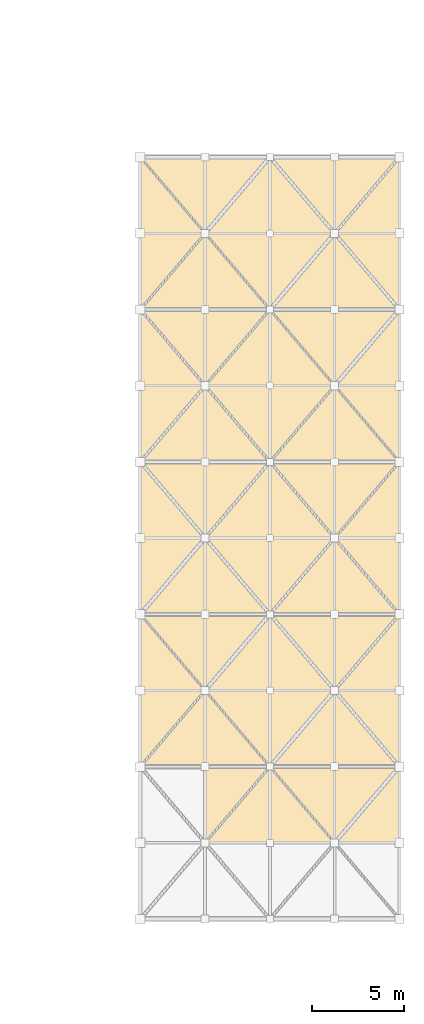
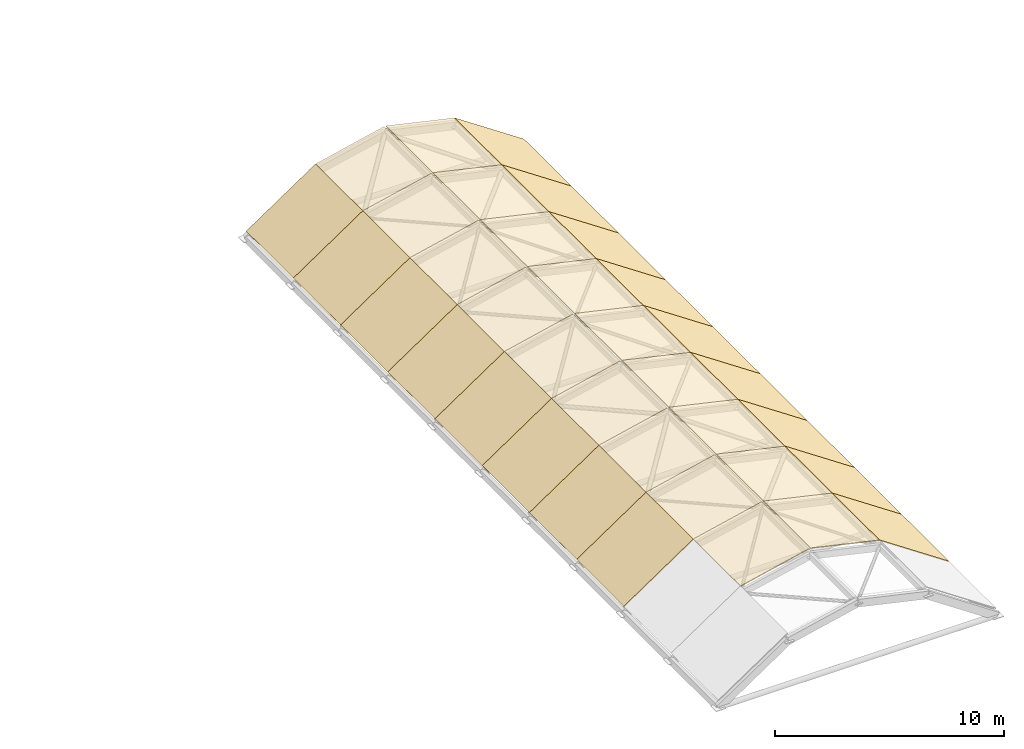
# One storey, part 15 of 15: 35 coverings.
"""IFC4 building model written with IfcOpenShell, lengths in metres."""

from ifc_helpers import new_model, si_unit, direction, frame, origin, place, context, subcontext, project, spatial, polyline, outline, extrude, material, layer, layer_set, type_object, element, save


model = new_model("IFC4")

# Units and contexts
model_context = context("Model", 3, precision=1e-05, world=origin(), true_north=direction((0.0, 1.0)))
body_context = subcontext(model_context, "Body", "Model", "MODEL_VIEW")
ifc_project = project(units=[si_unit("LENGTHUNIT", "METRE"), si_unit("AREAUNIT", "SQUARE_METRE"), si_unit("VOLUMEUNIT", "CUBIC_METRE"), si_unit("PLANEANGLEUNIT", "RADIAN"), si_unit("MASSUNIT", "GRAM", prefix="KILO")], contexts=[model_context])

# Site, building, storey
site_placement = place(None, origin())
site = spatial("IfcSite", under=ifc_project, at=site_placement, CompositionType="ELEMENT")
building_placement = place(site_placement, origin())
building = spatial("IfcBuilding", under=site, at=building_placement, Name="Vardoun Plaza Health Centre", CompositionType="ELEMENT")
storey_placement = place(building_placement, frame((0.0, 0.0, 17.10009765625)))
storey = spatial("IfcBuildingStorey", under=building, at=storey_placement, Name="L04", CompositionType="ELEMENT", Elevation=17.10009765625)

# Coverings
ifc_material = material(Name="EPDM Insulated Roof Membrane", Category="concrete")
ifc_layer = layer(ifc_material, 0.044921875)
ifc_layer_set = layer_set([ifc_layer], Name="EPDM Insulated Roof Membrane")
covering_type = type_object("IfcCoveringType", Name="CV-M1", PredefinedType="ROOFING", material=ifc_layer_set)
covering_1_placement = place(storey_placement, frame((58.77490234375, 40.803955078125, 3.492431640625), z_axis=(-0.221576559251, 0.0, 0.975142978435), x_axis=(0.975142978435, 0.0, 0.221576559251)))
element("IfcCovering", 1, at=covering_1_placement, inside=storey, type_object=covering_type, Name="Gridshell Vault Cladding 2.4", PredefinedType="ROOFING", context=body_context, shape_type="SweptSolid", body=[
    extrude(outline(polyline([(0.0, 0.0), (3.5534152091084232, 0.0), (3.5534152091084232, 4.1240234375), (0.0, 4.1240234375), (0.0, 0.0)])), origin(), (0.0, 0.0, -1.0), 0.044921875),
])
covering_2_placement = place(storey_placement, frame((62.320068359375, 40.803955078125, 4.27978515625), z_axis=(0.221591405425, 0.0, 0.975139604898), x_axis=(0.975139604898, 0.0, -0.221591405425)))
element("IfcCovering", 2, at=covering_2_placement, inside=storey, type_object=covering_type, Name="Gridshell Vault Cladding 2.5", PredefinedType="ROOFING", context=body_context, shape_type="SweptSolid", body=[
    extrude(outline(polyline([(0.0, 0.0), (3.5531771375039987, 0.0), (3.5531771375039987, 4.1240234375), (0.0, 4.1240234375), (0.0, 0.0)])), origin(), (0.0, 0.0, -1.0), 0.044921875),
])
covering_3_placement = place(storey_placement, frame((65.784912109375, 40.803955078125, 3.492431640625), z_axis=(0.558918219218, 0.0, 0.829222783229), x_axis=(0.829222783229, 0.0, -0.558918219218)))
element("IfcCovering", 3, at=covering_3_placement, inside=storey, type_object=covering_type, Name="Gridshell Vault Cladding 2.6", PredefinedType="ROOFING", context=body_context, shape_type="SweptSolid", body=[
    extrude(outline(polyline([(0.0, 0.0), (4.227002711472771, 0.0), (4.227002711472771, 4.1240234375), (0.0, 4.1240234375), (0.0, 0.0)])), origin(), (0.0, 0.0, -1.0), 0.044921875),
])
covering_4_placement = place(storey_placement, frame((55.27001953125, 44.927978515625, 1.1298828125), z_axis=(-0.558944988892, 0.0, 0.829204739128), x_axis=(0.829204739128, 0.0, 0.558944988892)))
element("IfcCovering", 4, at=covering_4_placement, inside=storey, type_object=covering_type, Name="Gridshell Vault Cladding 3.3", PredefinedType="ROOFING", context=body_context, shape_type="SweptSolid", body=[
    extrude(outline(polyline([(0.0, 0.0), (4.226800266706805, 0.0), (4.226800266706805, 4.1240234375), (0.0, 4.1240234375), (0.0, 0.0)])), origin(), (0.0, 0.0, -1.0), 0.044921875),
])
covering_5_placement = place(storey_placement, frame((58.77490234375, 44.927978515625, 3.492431640625), z_axis=(-0.221576559251, 0.0, 0.975142978435), x_axis=(0.975142978435, 0.0, 0.221576559251)))
element("IfcCovering", 5, at=covering_5_placement, inside=storey, type_object=covering_type, Name="Gridshell Vault Cladding 3.4", PredefinedType="ROOFING", context=body_context, shape_type="SweptSolid", body=[
    extrude(outline(polyline([(0.0, 0.0), (3.5534152091084232, 0.0), (3.5534152091084232, 4.1240234375), (0.0, 4.1240234375), (0.0, 0.0)])), origin(), (0.0, 0.0, -1.0), 0.044921875),
])
covering_6_placement = place(storey_placement, frame((62.320068359375, 44.927978515625, 4.27978515625), z_axis=(0.221591405425, 0.0, 0.975139604898), x_axis=(0.975139604898, 0.0, -0.221591405425)))
element("IfcCovering", 6, at=covering_6_placement, inside=storey, type_object=covering_type, Name="Gridshell Vault Cladding 3.5", PredefinedType="ROOFING", context=body_context, shape_type="SweptSolid", body=[
    extrude(outline(polyline([(0.0, 0.0), (3.5531771375039987, 0.0), (3.5531771375039987, 4.1240234375), (0.0, 4.1240234375), (0.0, 0.0)])), origin(), (0.0, 0.0, -1.0), 0.044921875),
])
covering_7_placement = place(storey_placement, frame((65.784912109375, 44.927978515625, 3.492431640625), z_axis=(0.558918219218, 0.0, 0.829222783229), x_axis=(0.829222783229, 0.0, -0.558918219218)))
element("IfcCovering", 7, at=covering_7_placement, inside=storey, type_object=covering_type, Name="Gridshell Vault Cladding 3.6", PredefinedType="ROOFING", context=body_context, shape_type="SweptSolid", body=[
    extrude(outline(polyline([(0.0, 0.0), (4.227002711472771, 0.0), (4.227002711472771, 4.1240234375), (0.0, 4.1240234375), (0.0, 0.0)])), origin(), (0.0, 0.0, -1.0), 0.044921875),
])
covering_8_placement = place(storey_placement, frame((55.27001953125, 49.052001953125, 1.1298828125), z_axis=(-0.558944988892, 0.0, 0.829204739128), x_axis=(0.829204739128, 0.0, 0.558944988892)))
element("IfcCovering", 8, at=covering_8_placement, inside=storey, type_object=covering_type, Name="Gridshell Vault Cladding 4.3", PredefinedType="ROOFING", context=body_context, shape_type="SweptSolid", body=[
    extrude(outline(polyline([(0.0, 0.0), (4.226800266706805, 0.0), (4.226800266706805, 4.1240234375), (0.0, 4.1240234375), (0.0, 0.0)])), origin(), (0.0, 0.0, -1.0), 0.044921875),
])
covering_9_placement = place(storey_placement, frame((58.77490234375, 49.052001953125, 3.492431640625), z_axis=(-0.221576559251, 0.0, 0.975142978435), x_axis=(0.975142978435, 0.0, 0.221576559251)))
element("IfcCovering", 9, at=covering_9_placement, inside=storey, type_object=covering_type, Name="Gridshell Vault Cladding 4.4", PredefinedType="ROOFING", context=body_context, shape_type="SweptSolid", body=[
    extrude(outline(polyline([(0.0, 0.0), (3.5534152091084232, 0.0), (3.5534152091084232, 4.1240234375), (0.0, 4.1240234375), (0.0, 0.0)])), origin(), (0.0, 0.0, -1.0), 0.044921875),
])
covering_10_placement = place(storey_placement, frame((62.320068359375, 49.052001953125, 4.27978515625), z_axis=(0.221591405425, 0.0, 0.975139604898), x_axis=(0.975139604898, 0.0, -0.221591405425)))
element("IfcCovering", 10, at=covering_10_placement, inside=storey, type_object=covering_type, Name="Gridshell Vault Cladding 4.5", PredefinedType="ROOFING", context=body_context, shape_type="SweptSolid", body=[
    extrude(outline(polyline([(0.0, 0.0), (3.5531771375039987, 0.0), (3.5531771375039987, 4.1240234375), (0.0, 4.1240234375), (0.0, 0.0)])), origin(), (0.0, 0.0, -1.0), 0.044921875),
])
covering_11_placement = place(storey_placement, frame((65.784912109375, 49.052001953125, 3.492431640625), z_axis=(0.558918219218, 0.0, 0.829222783229), x_axis=(0.829222783229, 0.0, -0.558918219218)))
element("IfcCovering", 11, at=covering_11_placement, inside=storey, type_object=covering_type, Name="Gridshell Vault Cladding 4.6", PredefinedType="ROOFING", context=body_context, shape_type="SweptSolid", body=[
    extrude(outline(polyline([(0.0, 0.0), (4.227002711472771, 0.0), (4.227002711472771, 4.1240234375), (0.0, 4.1240234375), (0.0, 0.0)])), origin(), (0.0, 0.0, -1.0), 0.044921875),
])
covering_12_placement = place(storey_placement, frame((55.27001953125, 53.176025390625, 1.1298828125), z_axis=(-0.558944988892, 0.0, 0.829204739128), x_axis=(0.829204739128, 0.0, 0.558944988892)))
element("IfcCovering", 12, at=covering_12_placement, inside=storey, type_object=covering_type, Name="Gridshell Vault Cladding 5.3", PredefinedType="ROOFING", context=body_context, shape_type="SweptSolid", body=[
    extrude(outline(polyline([(0.0, 0.0), (4.226800266706805, 0.0), (4.226800266706805, 4.1240234375), (0.0, 4.1240234375), (0.0, 0.0)])), origin(), (0.0, 0.0, -1.0), 0.044921875),
])
covering_13_placement = place(storey_placement, frame((58.77490234375, 53.176025390625, 3.492431640625), z_axis=(-0.221576559251, 0.0, 0.975142978435), x_axis=(0.975142978435, 0.0, 0.221576559251)))
element("IfcCovering", 13, at=covering_13_placement, inside=storey, type_object=covering_type, Name="Gridshell Vault Cladding 5.4", PredefinedType="ROOFING", context=body_context, shape_type="SweptSolid", body=[
    extrude(outline(polyline([(0.0, 0.0), (3.5534152091084232, 0.0), (3.5534152091084232, 4.1240234375), (0.0, 4.1240234375), (0.0, 0.0)])), origin(), (0.0, 0.0, -1.0), 0.044921875),
])
covering_14_placement = place(storey_placement, frame((62.320068359375, 53.176025390625, 4.27978515625), z_axis=(0.221591405425, 0.0, 0.975139604898), x_axis=(0.975139604898, 0.0, -0.221591405425)))
element("IfcCovering", 14, at=covering_14_placement, inside=storey, type_object=covering_type, Name="Gridshell Vault Cladding 5.5", PredefinedType="ROOFING", context=body_context, shape_type="SweptSolid", body=[
    extrude(outline(polyline([(0.0, 0.0), (3.5531771375039987, 0.0), (3.5531771375039987, 4.1240234375), (0.0, 4.1240234375), (0.0, 0.0)])), origin(), (0.0, 0.0, -1.0), 0.044921875),
])
covering_15_placement = place(storey_placement, frame((65.784912109375, 53.176025390625, 3.492431640625), z_axis=(0.558918219218, 0.0, 0.829222783229), x_axis=(0.829222783229, 0.0, -0.558918219218)))
element("IfcCovering", 15, at=covering_15_placement, inside=storey, type_object=covering_type, Name="Gridshell Vault Cladding 5.6", PredefinedType="ROOFING", context=body_context, shape_type="SweptSolid", body=[
    extrude(outline(polyline([(0.0, 0.0), (4.227002711472771, 0.0), (4.227002711472771, 4.1240234375), (0.0, 4.1240234375), (0.0, 0.0)])), origin(), (0.0, 0.0, -1.0), 0.044921875),
])
covering_16_placement = place(storey_placement, frame((55.27001953125, 57.300048828125, 1.1298828125), z_axis=(-0.558944988892, 0.0, 0.829204739128), x_axis=(0.829204739128, 0.0, 0.558944988892)))
element("IfcCovering", 16, at=covering_16_placement, inside=storey, type_object=covering_type, Name="Gridshell Vault Cladding 6.3", PredefinedType="ROOFING", context=body_context, shape_type="SweptSolid", body=[
    extrude(outline(polyline([(0.0, 0.0), (4.226800266706805, 0.0), (4.226800266706805, 4.1240234375), (0.0, 4.1240234375), (0.0, 0.0)])), origin(), (0.0, 0.0, -1.0), 0.044921875),
])
covering_17_placement = place(storey_placement, frame((58.77490234375, 57.300048828125, 3.492431640625), z_axis=(-0.221576559251, 0.0, 0.975142978435), x_axis=(0.975142978435, 0.0, 0.221576559251)))
element("IfcCovering", 17, at=covering_17_placement, inside=storey, type_object=covering_type, Name="Gridshell Vault Cladding 6.4", PredefinedType="ROOFING", context=body_context, shape_type="SweptSolid", body=[
    extrude(outline(polyline([(0.0, 0.0), (3.5534152091084232, 0.0), (3.5534152091084232, 4.1240234375), (0.0, 4.1240234375), (0.0, 0.0)])), origin(), (0.0, 0.0, -1.0), 0.044921875),
])
covering_18_placement = place(storey_placement, frame((62.320068359375, 57.300048828125, 4.27978515625), z_axis=(0.221591405425, 0.0, 0.975139604898), x_axis=(0.975139604898, 0.0, -0.221591405425)))
element("IfcCovering", 18, at=covering_18_placement, inside=storey, type_object=covering_type, Name="Gridshell Vault Cladding 6.5", PredefinedType="ROOFING", context=body_context, shape_type="SweptSolid", body=[
    extrude(outline(polyline([(0.0, 0.0), (3.5531771375039987, 0.0), (3.5531771375039987, 4.1240234375), (0.0, 4.1240234375), (0.0, 0.0)])), origin(), (0.0, 0.0, -1.0), 0.044921875),
])
covering_19_placement = place(storey_placement, frame((65.784912109375, 57.300048828125, 3.492431640625), z_axis=(0.558918219218, 0.0, 0.829222783229), x_axis=(0.829222783229, 0.0, -0.558918219218)))
element("IfcCovering", 19, at=covering_19_placement, inside=storey, type_object=covering_type, Name="Gridshell Vault Cladding 6.6", PredefinedType="ROOFING", context=body_context, shape_type="SweptSolid", body=[
    extrude(outline(polyline([(0.0, 0.0), (4.227002711472771, 0.0), (4.227002711472771, 4.1240234375), (0.0, 4.1240234375), (0.0, 0.0)])), origin(), (0.0, 0.0, -1.0), 0.044921875),
])
covering_20_placement = place(storey_placement, frame((55.27001953125, 61.424072265625, 1.1298828125), z_axis=(-0.558944988892, 0.0, 0.829204739128), x_axis=(0.829204739128, 0.0, 0.558944988892)))
element("IfcCovering", 20, at=covering_20_placement, inside=storey, type_object=covering_type, Name="Gridshell Vault Cladding 7.3", PredefinedType="ROOFING", context=body_context, shape_type="SweptSolid", body=[
    extrude(outline(polyline([(0.0, 0.0), (4.226800266706805, 0.0), (4.226800266706805, 4.1240234375), (0.0, 4.1240234375), (0.0, 0.0)])), origin(), (0.0, 0.0, -1.0), 0.044921875),
])
covering_21_placement = place(storey_placement, frame((58.77490234375, 61.424072265625, 3.492431640625), z_axis=(-0.221576559251, 0.0, 0.975142978435), x_axis=(0.975142978435, 0.0, 0.221576559251)))
element("IfcCovering", 21, at=covering_21_placement, inside=storey, type_object=covering_type, Name="Gridshell Vault Cladding 7.4", PredefinedType="ROOFING", context=body_context, shape_type="SweptSolid", body=[
    extrude(outline(polyline([(0.0, 0.0), (3.5534152091084232, 0.0), (3.5534152091084232, 4.1240234375), (0.0, 4.1240234375), (0.0, 0.0)])), origin(), (0.0, 0.0, -1.0), 0.044921875),
])
covering_22_placement = place(storey_placement, frame((62.320068359375, 61.424072265625, 4.27978515625), z_axis=(0.221591405425, 0.0, 0.975139604898), x_axis=(0.975139604898, 0.0, -0.221591405425)))
element("IfcCovering", 22, at=covering_22_placement, inside=storey, type_object=covering_type, Name="Gridshell Vault Cladding 7.5", PredefinedType="ROOFING", context=body_context, shape_type="SweptSolid", body=[
    extrude(outline(polyline([(0.0, 0.0), (3.5531771375039987, 0.0), (3.5531771375039987, 4.1240234375), (0.0, 4.1240234375), (0.0, 0.0)])), origin(), (0.0, 0.0, -1.0), 0.044921875),
])
covering_23_placement = place(storey_placement, frame((65.784912109375, 61.424072265625, 3.492431640625), z_axis=(0.558918219218, 0.0, 0.829222783229), x_axis=(0.829222783229, 0.0, -0.558918219218)))
element("IfcCovering", 23, at=covering_23_placement, inside=storey, type_object=covering_type, Name="Gridshell Vault Cladding 7.6", PredefinedType="ROOFING", context=body_context, shape_type="SweptSolid", body=[
    extrude(outline(polyline([(0.0, 0.0), (4.227002711472771, 0.0), (4.227002711472771, 4.1240234375), (0.0, 4.1240234375), (0.0, 0.0)])), origin(), (0.0, 0.0, -1.0), 0.044921875),
])
covering_24_placement = place(storey_placement, frame((55.27001953125, 65.548095703125, 1.1298828125), z_axis=(-0.558944988892, 0.0, 0.829204739128), x_axis=(0.829204739128, 0.0, 0.558944988892)))
element("IfcCovering", 24, at=covering_24_placement, inside=storey, type_object=covering_type, Name="Gridshell Vault Cladding 8.3", PredefinedType="ROOFING", context=body_context, shape_type="SweptSolid", body=[
    extrude(outline(polyline([(0.0, 0.0), (4.226800266706805, 0.0), (4.226800266706805, 4.1240234375), (0.0, 4.1240234375), (0.0, 0.0)])), origin(), (0.0, 0.0, -1.0), 0.044921875),
])
covering_25_placement = place(storey_placement, frame((58.77490234375, 65.548095703125, 3.492431640625), z_axis=(-0.221576559251, 0.0, 0.975142978435), x_axis=(0.975142978435, 0.0, 0.221576559251)))
element("IfcCovering", 25, at=covering_25_placement, inside=storey, type_object=covering_type, Name="Gridshell Vault Cladding 8.4", PredefinedType="ROOFING", context=body_context, shape_type="SweptSolid", body=[
    extrude(outline(polyline([(0.0, 0.0), (3.5534152091084232, 0.0), (3.5534152091084232, 4.1240234375), (0.0, 4.1240234375), (0.0, 0.0)])), origin(), (0.0, 0.0, -1.0), 0.044921875),
])
covering_26_placement = place(storey_placement, frame((62.320068359375, 65.548095703125, 4.27978515625), z_axis=(0.221591405425, 0.0, 0.975139604898), x_axis=(0.975139604898, 0.0, -0.221591405425)))
element("IfcCovering", 26, at=covering_26_placement, inside=storey, type_object=covering_type, Name="Gridshell Vault Cladding 8.5", PredefinedType="ROOFING", context=body_context, shape_type="SweptSolid", body=[
    extrude(outline(polyline([(0.0, 0.0), (3.5531771375039987, 0.0), (3.5531771375039987, 4.1240234375), (0.0, 4.1240234375), (0.0, 0.0)])), origin(), (0.0, 0.0, -1.0), 0.044921875),
])
covering_27_placement = place(storey_placement, frame((65.784912109375, 65.548095703125, 3.492431640625), z_axis=(0.558918219218, 0.0, 0.829222783229), x_axis=(0.829222783229, 0.0, -0.558918219218)))
element("IfcCovering", 27, at=covering_27_placement, inside=storey, type_object=covering_type, Name="Gridshell Vault Cladding 8.6", PredefinedType="ROOFING", context=body_context, shape_type="SweptSolid", body=[
    extrude(outline(polyline([(0.0, 0.0), (4.227002711472771, 0.0), (4.227002711472771, 4.1240234375), (0.0, 4.1240234375), (0.0, 0.0)])), origin(), (0.0, 0.0, -1.0), 0.044921875),
])
covering_28_placement = place(storey_placement, frame((55.27001953125, 69.672119140625, 1.1298828125), z_axis=(-0.558944988892, 0.0, 0.829204739128), x_axis=(0.829204739128, 0.0, 0.558944988892)))
element("IfcCovering", 28, at=covering_28_placement, inside=storey, type_object=covering_type, Name="Gridshell Vault Cladding 9.3", PredefinedType="ROOFING", context=body_context, shape_type="SweptSolid", body=[
    extrude(outline(polyline([(0.0, 0.0), (4.226800266706805, 0.0), (4.226800266706805, 4.123779296875), (0.0, 4.123779296875), (0.0, 0.0)])), origin(), (0.0, 0.0, -1.0), 0.044921875),
])
covering_29_placement = place(storey_placement, frame((58.77490234375, 69.672119140625, 3.492431640625), z_axis=(-0.221576559251, 0.0, 0.975142978435), x_axis=(0.975142978435, 0.0, 0.221576559251)))
element("IfcCovering", 29, at=covering_29_placement, inside=storey, type_object=covering_type, Name="Gridshell Vault Cladding 9.4", PredefinedType="ROOFING", context=body_context, shape_type="SweptSolid", body=[
    extrude(outline(polyline([(0.0, 0.0), (3.5534152091084232, 0.0), (3.5534152091084232, 4.123779296875001), (0.0, 4.123779296875001), (0.0, 0.0)])), origin(), (0.0, 0.0, -1.0), 0.044921875),
])
covering_30_placement = place(storey_placement, frame((62.320068359375, 69.672119140625, 4.27978515625), z_axis=(0.221591405425, 0.0, 0.975139604898), x_axis=(0.975139604898, 0.0, -0.221591405425)))
element("IfcCovering", 30, at=covering_30_placement, inside=storey, type_object=covering_type, Name="Gridshell Vault Cladding 9.5", PredefinedType="ROOFING", context=body_context, shape_type="SweptSolid", body=[
    extrude(outline(polyline([(0.0, 0.0), (3.5531771375039987, 0.0), (3.5531771375039987, 4.123779296875001), (0.0, 4.123779296875001), (0.0, 0.0)])), origin(), (0.0, 0.0, -1.0), 0.044921875),
])
covering_31_placement = place(storey_placement, frame((65.784912109375, 69.672119140625, 3.492431640625), z_axis=(0.558918219218, 0.0, 0.829222783229), x_axis=(0.829222783229, 0.0, -0.558918219218)))
element("IfcCovering", 31, at=covering_31_placement, inside=storey, type_object=covering_type, Name="Gridshell Vault Cladding 9.6", PredefinedType="ROOFING", context=body_context, shape_type="SweptSolid", body=[
    extrude(outline(polyline([(0.0, 0.0), (4.227002711472771, 0.0), (4.227002711472771, 4.123779296875), (0.0, 4.123779296875), (0.0, 0.0)])), origin(), (0.0, 0.0, -1.0), 0.044921875),
])
covering_32_placement = place(storey_placement, frame((55.27001953125, 73.7958984375, 1.1298828125), z_axis=(-0.558944988892, 0.0, 0.829204739128), x_axis=(0.829204739128, 0.0, 0.558944988892)))
element("IfcCovering", 32, at=covering_32_placement, inside=storey, type_object=covering_type, Name="Gridshell Vault Cladding 10.3", PredefinedType="ROOFING", context=body_context, shape_type="SweptSolid", body=[
    extrude(outline(polyline([(0.0, 0.0), (4.226800266706805, 0.0), (4.226800266706805, 4.1240234375), (0.0, 4.1240234375), (0.0, 0.0)])), origin(), (0.0, 0.0, -1.0), 0.044921875),
])
covering_33_placement = place(storey_placement, frame((58.77490234375, 73.7958984375, 3.492431640625), z_axis=(-0.221576559251, 0.0, 0.975142978435), x_axis=(0.975142978435, 0.0, 0.221576559251)))
element("IfcCovering", 33, at=covering_33_placement, inside=storey, type_object=covering_type, Name="Gridshell Vault Cladding 10.4", PredefinedType="ROOFING", context=body_context, shape_type="SweptSolid", body=[
    extrude(outline(polyline([(0.0, 0.0), (3.5534152091084232, 0.0), (3.5534152091084232, 4.1240234375), (0.0, 4.1240234375), (0.0, 0.0)])), origin(), (0.0, 0.0, -1.0), 0.044921875),
])
covering_34_placement = place(storey_placement, frame((62.320068359375, 73.7958984375, 4.27978515625), z_axis=(0.221591405425, 0.0, 0.975139604898), x_axis=(0.975139604898, 0.0, -0.221591405425)))
element("IfcCovering", 34, at=covering_34_placement, inside=storey, type_object=covering_type, Name="Gridshell Vault Cladding 10.5", PredefinedType="ROOFING", context=body_context, shape_type="SweptSolid", body=[
    extrude(outline(polyline([(0.0, 0.0), (3.5531771375039987, 0.0), (3.5531771375039987, 4.1240234375), (0.0, 4.1240234375), (0.0, 0.0)])), origin(), (0.0, 0.0, -1.0), 0.044921875),
])
covering_35_placement = place(storey_placement, frame((65.784912109375, 73.7958984375, 3.492431640625), z_axis=(0.558918219218, 0.0, 0.829222783229), x_axis=(0.829222783229, 0.0, -0.558918219218)))
element("IfcCovering", 35, at=covering_35_placement, inside=storey, type_object=covering_type, Name="Gridshell Vault Cladding 10.6", PredefinedType="ROOFING", context=body_context, shape_type="SweptSolid", body=[
    extrude(outline(polyline([(0.0, 0.0), (4.227002711472771, 0.0), (4.227002711472771, 4.1240234375), (0.0, 4.1240234375), (0.0, 0.0)])), origin(), (0.0, 0.0, -1.0), 0.044921875),
])

save(model, "model.ifc")
